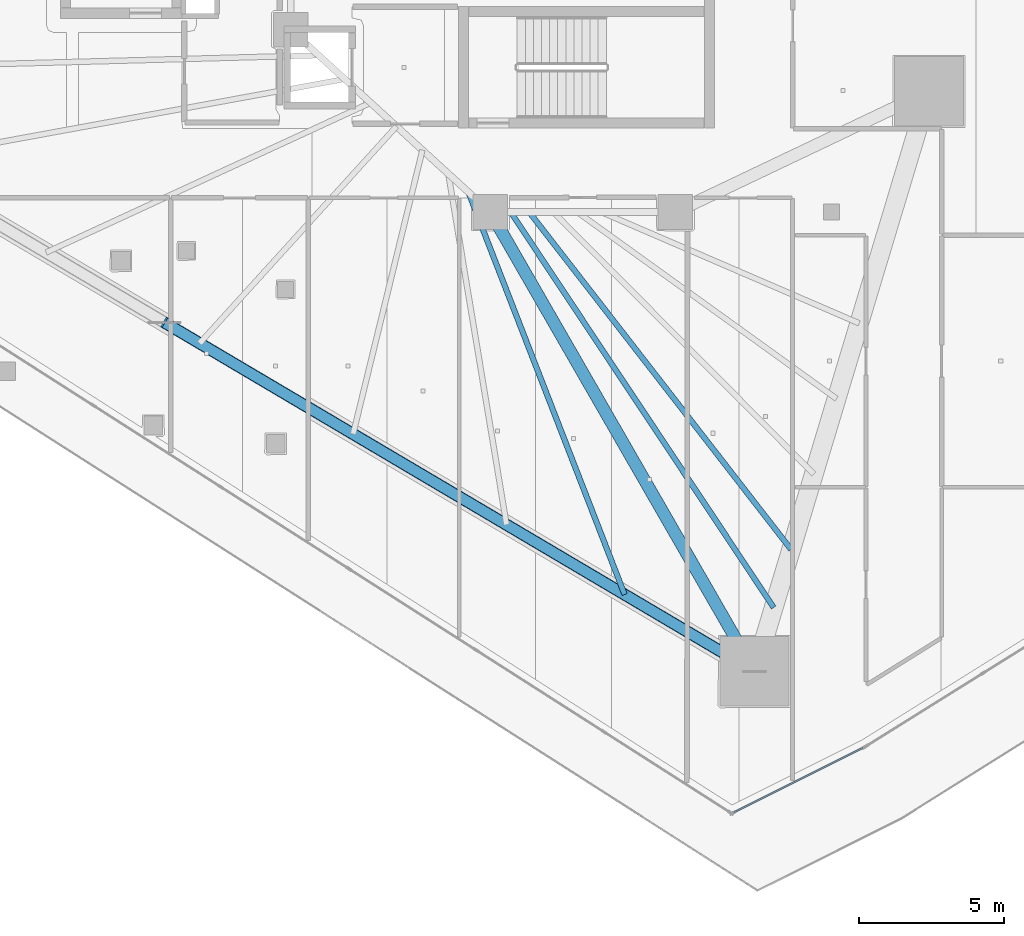
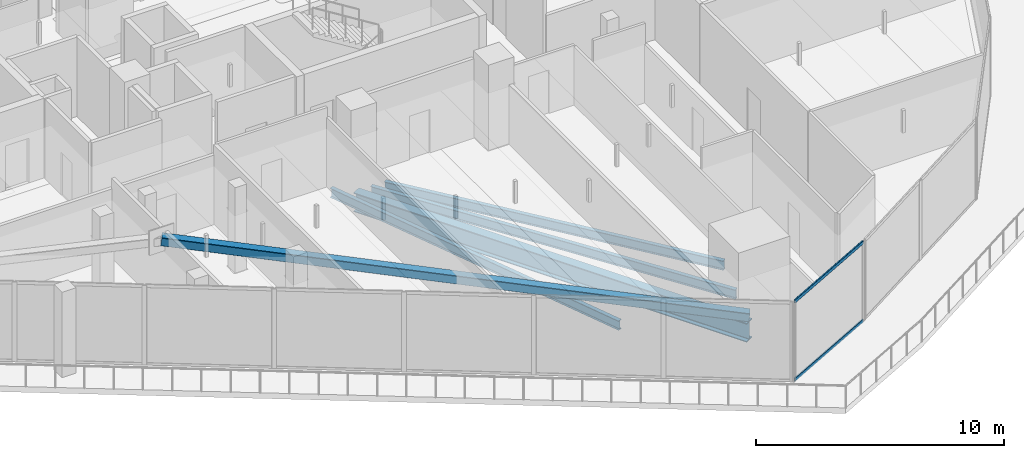
# One storey, part 7 of 47: 4 beams, 3 members, 1 element without a shape of its own.
"""IFC4 building model written with IfcOpenShell, lengths in metres."""

from ifc_helpers import new_model, si_unit, direction, frame, origin, origin_2d, place, context, subcontext, project, spatial, hollow_rectangle, i_section, extrude, material, layer, layer_set, material_profile, profile_set, type_object, element, aggregate, save


model = new_model("IFC4")

# Units and contexts
model_context = context("Model", 3, precision=1e-05, world=origin(), true_north=direction((0.0, 1.0)))
body_context = subcontext(model_context, "Body", "Model", "MODEL_VIEW")
ifc_project = project(units=[si_unit("LENGTHUNIT", "METRE"), si_unit("AREAUNIT", "SQUARE_METRE"), si_unit("VOLUMEUNIT", "CUBIC_METRE"), si_unit("PLANEANGLEUNIT", "RADIAN"), si_unit("MASSUNIT", "GRAM", prefix="KILO")], contexts=[model_context])

# Site, building, storey
site_placement = place(None, origin())
site = spatial("IfcSite", under=ifc_project, at=site_placement, CompositionType="ELEMENT")
building_placement = place(site_placement, origin())
building = spatial("IfcBuilding", under=site, at=building_placement, Name="Qorvath Tower", CompositionType="ELEMENT")
storey_placement = place(building_placement, frame((0.0, 0.0, 74.39990234375)))
storey = spatial("IfcBuildingStorey", under=building, at=storey_placement, Name="L16", CompositionType="ELEMENT", Elevation=74.39990234375)

# Beams
ifc_material_1 = material(Name="Steel ASTM A992 Grade 50", Category="steel")
ifc_material_profile_1 = material_profile(ifc_material_1, i_section(OverallWidth=0.422119140625, OverallDepth=0.93310546875, WebThickness=0.021240234375, FlangeThickness=0.039794921875, FilletRadius=0.02392578125, at=origin_2d()), Name="W36x262")
ifc_profile_set_1 = profile_set([ifc_material_profile_1], Name="Steel ASTM A992 Grade 50")
beam_type_1 = type_object("IfcBeamType", Name="BM-FG1", PredefinedType="BEAM", material=ifc_profile_set_1)
beam_1_placement = place(storey_placement, frame((-23.60009765625, -11.449951171875, -0.746337890625), z_axis=(0.498645367714, -0.866806089767, 0.0), x_axis=(0.866806089767, 0.498645367714, 0.0)))
element("IfcBeam", 1, at=beam_1_placement, inside=storey, type_object=beam_type_1, Name="Radial Floor Girder CC4-MC3 L16", PredefinedType="BEAM", context=body_context, shape_type="SweptSolid", body=[
    extrude(i_section(OverallWidth=0.422119140625, OverallDepth=0.93310546875, WebThickness=0.021240234375, FlangeThickness=0.039794921875, FilletRadius=0.02392578125, at=origin_2d()), origin(), (0.0, 0.0, 1.0), 18.321044921875),
])
ifc_material_2 = material(Name="Steel ASTM A992 Grade 50", Category="steel")
ifc_material_profile_2 = material_profile(ifc_material_2, i_section(OverallWidth=0.18994140625, OverallDepth=0.45703125, WebThickness=0.009033203125, FlangeThickness=0.014404296875, FilletRadius=0.011962890625, at=origin_2d()), Name="W18x50")
ifc_profile_set_2 = profile_set([ifc_material_profile_2], Name="Steel ASTM A992 Grade 50")
beam_type_2 = type_object("IfcBeamType", Name="BM-FJ2", PredefinedType="JOIST", material=ifc_profile_set_2)
beam_2_placement = place(storey_placement, frame((-22.256103515625, -11.449951171875, -0.50830078125), z_axis=(0.613206963859, -0.789922286984, 0.0), x_axis=(0.789922286984, 0.613206963859, 0.0)))
element("IfcBeam", 2, at=beam_2_placement, inside=storey, type_object=beam_type_2, Name="Composite Floor Joist SE6 L16", PredefinedType="JOIST", context=body_context, shape_type="SweptSolid", body=[
    extrude(i_section(OverallWidth=0.18994140625, OverallDepth=0.45703125, WebThickness=0.009033203125, FlangeThickness=0.014404296875, FilletRadius=0.011962890625, at=origin_2d()), origin(), (0.0, 0.0, 1.0), 14.77294921875),
])
beam_3_placement = place(storey_placement, frame((-22.89599609375, -11.449951171875, -0.50830078125), z_axis=(0.553811384989, -0.83264214994, 0.0), x_axis=(0.83264214994, 0.553811384989, 0.0)))
element("IfcBeam", 3, at=beam_3_placement, inside=storey, type_object=beam_type_2, Name="Composite Floor Joist SE7 L16", PredefinedType="JOIST", context=body_context, shape_type="SweptSolid", body=[
    extrude(i_section(OverallWidth=0.18994140625, OverallDepth=0.45703125, WebThickness=0.009033203125, FlangeThickness=0.014404296875, FilletRadius=0.011962890625, at=origin_2d()), origin(), (0.0, 0.0, 1.0), 16.42333984375),
])
beam_4_placement = place(storey_placement, frame((-24.35888671875, -10.757080078125, -0.50830078125), z_axis=(0.361964096586, -0.93219203643, 0.0), x_axis=(0.93219203643, 0.361964096586, 0.0)))
element("IfcBeam", 4, at=beam_4_placement, inside=storey, type_object=beam_type_2, Name="Composite Floor Joist SW7 L16", PredefinedType="JOIST", context=body_context, shape_type="SweptSolid", body=[
    extrude(i_section(OverallWidth=0.18994140625, OverallDepth=0.45703125, WebThickness=0.009033203125, FlangeThickness=0.014404296875, FilletRadius=0.011962890625, at=origin_2d()), origin(), (0.0, 0.0, 1.0), 14.93115234375),
])

# Curtain wall, members
ifc_material_3 = material(Name="Anodised aluminium and triple low-E glass", Category="aluminium")
ifc_layer = layer(ifc_material_3, 0.179931640625)
ifc_layer_set = layer_set([ifc_layer], Name="CW-SYS-5")
curtain_wall_type = type_object("IfcCurtainWallType", Name="CW-SYS-5", PredefinedType="NOTDEFINED", material=ifc_layer_set)
curtain_wall_placement = place(storey_placement, origin())
curtain_wall = element("IfcCurtainWall", 5, at=curtain_wall_placement, inside=storey, type_object=curtain_wall_type, Name="Curtain Wall CW-5 CW-T-L16-7.1", PredefinedType="NOTDEFINED")
ifc_material_4 = material(Name="Anodised aluminium 6063-T6", Category="aluminium")
ifc_material_profile_3 = material_profile(ifc_material_4, hollow_rectangle(XDim=0.06494140625, YDim=0.159912109375, WallThickness=0.00341796875, InnerFilletRadius=0.00341796875, OuterFilletRadius=0.007080078125, at=origin_2d()), Name="CWT 160x65")
ifc_profile_set_3 = profile_set([ifc_material_profile_3], Name="Anodised aluminium 6063-T6")
member_type_1 = type_object("IfcMemberType", Name="CWT-160", PredefinedType="USERDEFINED", material=ifc_profile_set_3)
member_1_placement = place(storey_placement, frame((-15.184814453125, -32.21044921875, 0.032470703125), z_axis=(0.894427191, 0.4472135955, 0.0), x_axis=(-0.4472135955, 0.894427191, 0.0)))
member_1 = element("IfcMember", 6, at=member_1_placement, type_object=member_type_1, Name="CW-5 transom 1.1", ObjectType="TRANSOM", PredefinedType="USERDEFINED", context=body_context, shape_type="SweptSolid", body=[
    extrude(hollow_rectangle(XDim=0.06494140625, YDim=0.159912109375, WallThickness=0.00341796875, InnerFilletRadius=0.00341796875, OuterFilletRadius=0.007080078125, at=origin_2d()), origin(), (0.0, 0.0, 1.0), 5.0),
])
member_2_placement = place(storey_placement, frame((-15.184814453125, -32.21044921875, 3.8876953125), z_axis=(0.894427191, 0.4472135955, 0.0), x_axis=(-0.4472135955, 0.894427191, 0.0)))
member_2 = element("IfcMember", 7, at=member_2_placement, type_object=member_type_1, Name="CW-5 transom 1.2", ObjectType="TRANSOM", PredefinedType="USERDEFINED", context=body_context, shape_type="SweptSolid", body=[
    extrude(hollow_rectangle(XDim=0.06494140625, YDim=0.159912109375, WallThickness=0.00341796875, InnerFilletRadius=0.00341796875, OuterFilletRadius=0.007080078125, at=origin_2d()), origin(), (0.0, 0.0, 1.0), 5.0),
])
aggregate(curtain_wall, [member_1, member_2])

# Member
ifc_material_5 = material(Name="Steel ASTM A500 Grade C", Category="steel")
ifc_material_profile_4 = material_profile(ifc_material_5, hollow_rectangle(XDim=0.406494140625, YDim=0.406494140625, WallThickness=0.015869140625, InnerFilletRadius=0.015869140625, OuterFilletRadius=0.03173828125, at=origin_2d()), Name="HSS 406x406x16")
ifc_profile_set_4 = profile_set([ifc_material_profile_4], Name="Steel ASTM A500 Grade C")
member_type_2 = type_object("IfcMemberType", Name="MEM-MB1", PredefinedType="BRACE", material=ifc_profile_set_4)
member_3_placement = place(storey_placement, frame((-14.46435546875, -27.330810546875, 0.0), z_axis=(-0.851182795565, 0.503305343105, 0.148901242896), x_axis=(-0.508979409022, -0.860778694666, 0.0)))
element("IfcMember", 8, at=member_3_placement, inside=storey, type_object=member_type_2, Name="Perimeter Chevron Brace L16-2B", PredefinedType="BRACE", context=body_context, shape_type="SweptSolid", body=[
    extrude(hollow_rectangle(XDim=0.406494140625, YDim=0.406494140625, WallThickness=0.015869140625, InnerFilletRadius=0.015869140625, OuterFilletRadius=0.03173828125, at=origin_2d()), origin(), (0.0, 0.0, 1.0), 23.977783203125),
])

save(model, "model.ifc")
